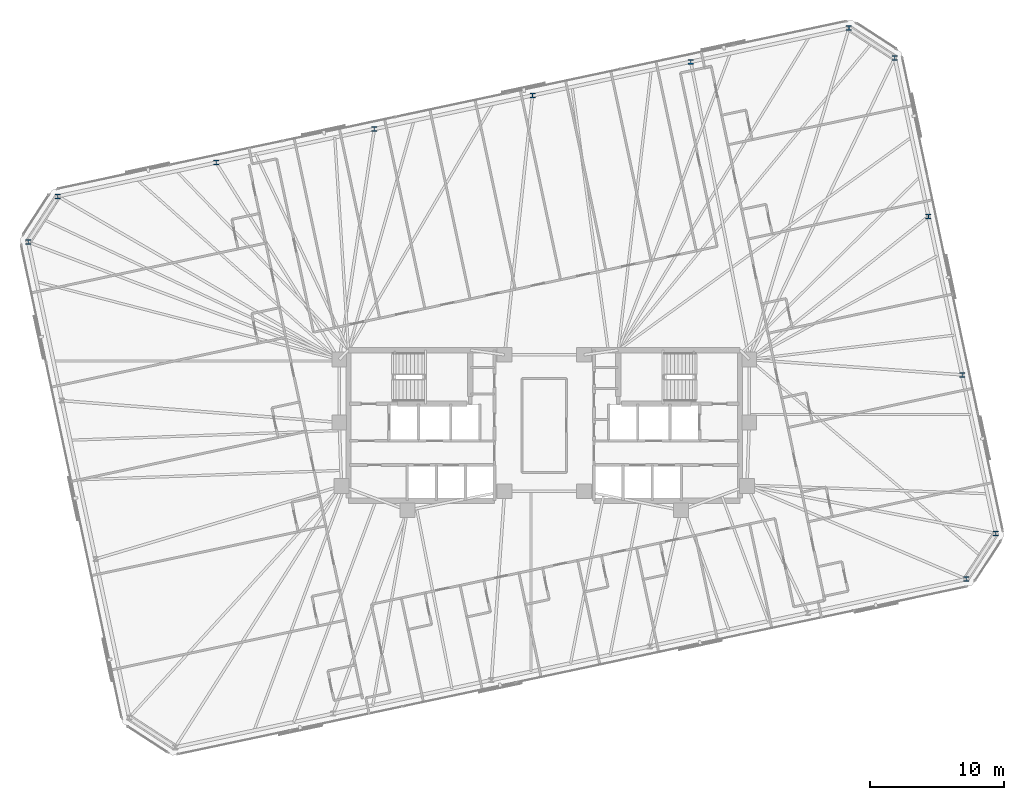
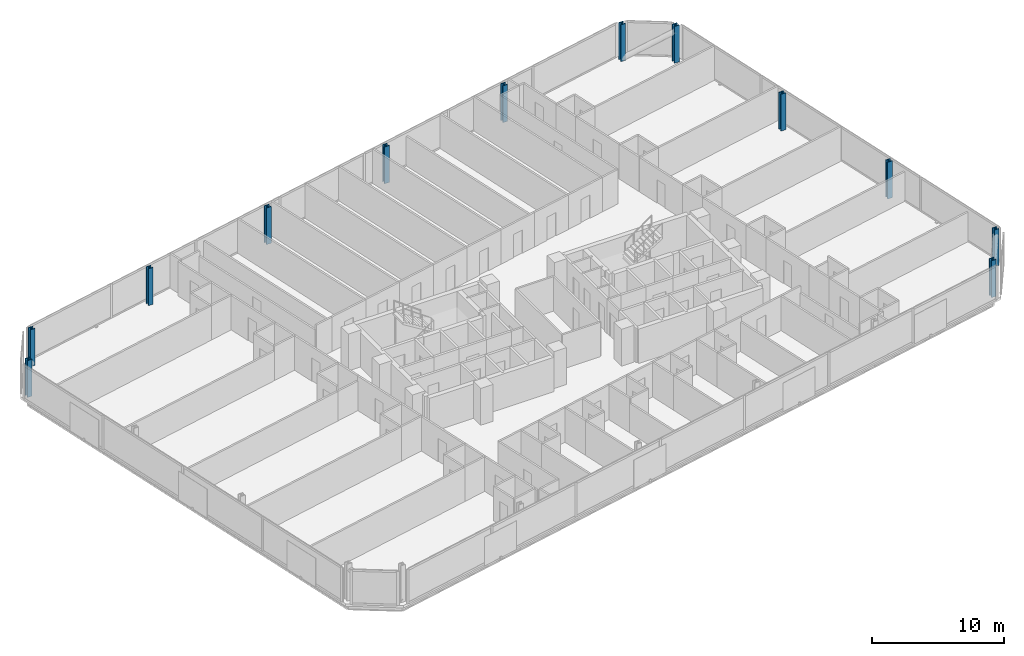
# One storey, part 5 of 21: 12 columns.
"""IFC4 building model written with IfcOpenShell, lengths in metres."""

from ifc_helpers import new_model, si_unit, direction, frame, origin, origin_2d, place, context, subcontext, project, spatial, i_section, extrude, material, material_profile, profile_set, type_object, element, save


model = new_model("IFC4")

# Units and contexts
model_context = context("Model", 3, precision=1e-05, world=origin(), true_north=direction((0.0, 1.0)))
body_context = subcontext(model_context, "Body", "Model", "MODEL_VIEW")
ifc_project = project(units=[si_unit("LENGTHUNIT", "METRE"), si_unit("AREAUNIT", "SQUARE_METRE"), si_unit("VOLUMEUNIT", "CUBIC_METRE"), si_unit("PLANEANGLEUNIT", "RADIAN"), si_unit("MASSUNIT", "GRAM", prefix="KILO")], contexts=[model_context])

# Site, building, storey
site_placement = place(None, origin())
site = spatial("IfcSite", under=ifc_project, at=site_placement, CompositionType="ELEMENT")
building_placement = place(site_placement, origin())
building = spatial("IfcBuilding", under=site, at=building_placement, Name="Menara Jurai Vektor", CompositionType="ELEMENT")
storey_placement = place(building_placement, frame((0.0, 0.0, 188.800048828125)))
storey = spatial("IfcBuildingStorey", under=building, at=storey_placement, Name="L49", CompositionType="ELEMENT", Elevation=188.800048828125)

# Columns
ifc_material = material(Name="Steel S460", Category="steel")
ifc_material_profile = material_profile(ifc_material, i_section(OverallWidth=0.408935546875, OverallDepth=0.3740234375, WebThickness=0.048095703125, FlangeThickness=0.076904296875, FilletRadius=0.014892578125, at=origin_2d()), Name="HD 400x634")
ifc_profile_set = profile_set([ifc_material_profile], Name="Steel S460")
column_type = type_object("IfcColumnType", Name="STR-EXO-BLK3", PredefinedType="COLUMN", material=ifc_profile_set)
for number, where, z_axis, x_axis, name in (
    (1, (31.376220703125, -11.438720703125, 0.0), (0.0, 0.0, 1.0), (1.0, 0.0, 0.0), "Exoskeleton Column BLK3-S6 L49"),
    (2, (33.588623046875, -8.031982421875, 0.0), (0.0, 0.0, 1.0), (1.0, 0.0, 0.0), "Exoskeleton Column BLK3-E1 L49"),
    (3, (31.082763671875, 3.75634765625, 0.0), (0.0, 0.0, 1.0), (1.0, 0.0, 0.0), "Exoskeleton Column BLK3-E2 L49"),
    (4, (28.5771484375, 15.544921875, 0.0), (0.0, 0.0, 1.0), (1.0, 0.0, 0.0), "Exoskeleton Column BLK3-E3 L49"),
    (5, (26.0712890625, 27.33349609375, 0.0), (0.0, 0.0, 1.0), (1.0, 0.0, 0.0), "Exoskeleton Column BLK3-E4 L49"),
    (6, (22.664794921875, 29.545654296875, 0.0), (0.0, 0.0, 1.0), (1.0, 0.0, 0.0), "Exoskeleton Column BLK3-N1 L49"),
    (7, (10.896484375, 27.044189453125, 0.0), (0.0, 0.0, 1.0), (1.0, 0.0, 0.0), "Exoskeleton Column BLK3-N2 L49"),
    (8, (-0.87158203125, 24.54296875, 0.0), (0.0, 0.0, 1.0), (1.0, 0.0, 0.0), "Exoskeleton Column BLK3-N3 L49"),
    (9, (-12.639892578125, 22.04150390625, 0.0), (0.0, 0.0, 1.0), (1.0, 0.0, 0.0), "Exoskeleton Column BLK3-N4 L49"),
    (10, (-24.407958984375, 19.5400390625, 0.0), (0.0, 0.0, 1.0), (1.0, 0.0, 0.0), "Exoskeleton Column BLK3-N5 L49"),
    (11, (-36.17626953125, 17.03857421875, 0.0), (0.0, 0.0, 1.0), (1.0, 0.0, 0.0), "Exoskeleton Column BLK3-N6 L49"),
    (12, (-38.388671875, 13.632080078125, 0.0), (0.0, 0.0, 1.0), (1.0, 0.0, 0.0), "Exoskeleton Column BLK3-W1 L49"),
):
    element("IfcColumn", number, at=place(storey_placement, frame(where, z_axis=z_axis, x_axis=x_axis)), inside=storey, type_object=column_type, Name=name, PredefinedType="COLUMN", context=body_context, shape_type="SweptSolid", body=[
        extrude(i_section(OverallWidth=0.408935546875, OverallDepth=0.3740234375, WebThickness=0.048095703125, FlangeThickness=0.076904296875, FilletRadius=0.014892578125, at=origin_2d()), origin(), (0.0, 0.0, 1.0), 3.39990234375),
    ])

save(model, "model.ifc")
